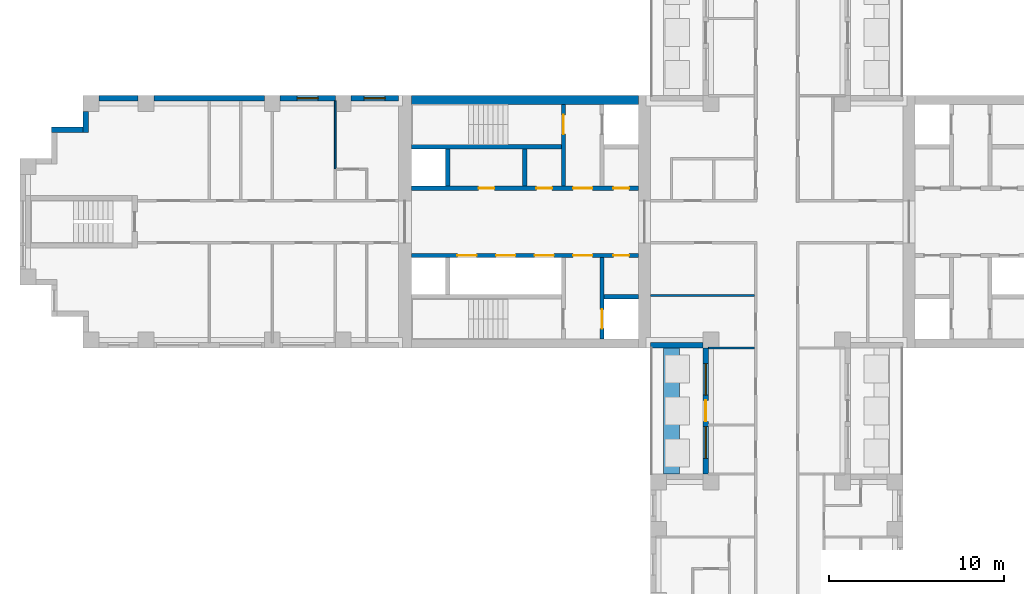
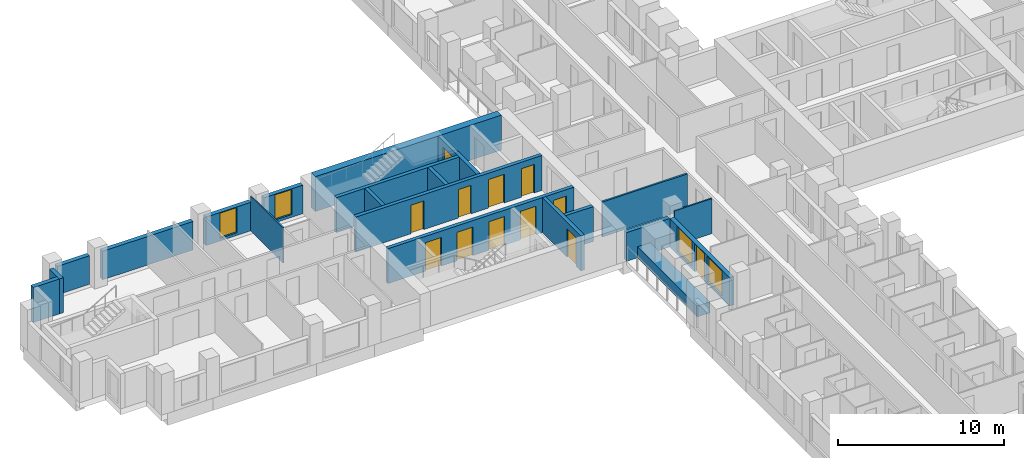
# One storey, part 7 of 16: 21 walls, 12 doors, 4 windows, 16 openings.
"""IFC4 building model written with IfcOpenShell, lengths in metres."""

from ifc_helpers import new_model, si_unit, direction, frame, frame_2d, origin, place, context, subcontext, project, spatial, rectangle, extrude, material, layer, layer_set, type_object, element, fill, save


model = new_model("IFC4")

# Units and contexts
model_context = context("Model", 3, precision=1e-05, world=origin(), true_north=direction((0.0, 1.0)))
body_context = subcontext(model_context, "Body", "Model", "MODEL_VIEW")
ifc_project = project(units=[si_unit("LENGTHUNIT", "METRE"), si_unit("AREAUNIT", "SQUARE_METRE"), si_unit("VOLUMEUNIT", "CUBIC_METRE"), si_unit("PLANEANGLEUNIT", "RADIAN"), si_unit("MASSUNIT", "GRAM", prefix="KILO")], contexts=[model_context])

# Site, building, storey
site_placement = place(None, origin())
site = spatial("IfcSite", under=ifc_project, at=site_placement, CompositionType="ELEMENT")
building_placement = place(site_placement, origin())
building = spatial("IfcBuilding", under=site, at=building_placement, Name="Fustian Cross Tower", CompositionType="ELEMENT")
storey_placement = place(building_placement, frame((0.0, 0.0, 26.699951171875)))
storey = spatial("IfcBuildingStorey", under=building, at=storey_placement, Name="L07", CompositionType="ELEMENT", Elevation=26.699951171875)

# Wall
ifc_material_1 = material(Name="Concrete C80/95", Category="concrete")
ifc_layer_1 = layer(ifc_material_1, 0.5)
ifc_layer_set_1 = layer_set([ifc_layer_1], Name="Concrete C80/95")
wall_type_1 = type_object("IfcWallType", Name="CORE FACADE WALL 500 C80/95", PredefinedType="SHEAR", material=ifc_layer_set_1)
wall_1_placement = place(storey_placement, frame((-7.89990234375, 6.949951171875, 0.0), z_axis=(0.0, 0.0, 1.0), x_axis=(-1.0, 0.0, 0.0)))
element("IfcWall", 1, at=wall_1_placement, inside=storey, type_object=wall_type_1, Name="Core facade wall", PredefinedType="SHEAR", context=body_context, shape_type="SweptSolid", body=[
    extrude(rectangle(XDim=12.9501953125, YDim=0.5, at=frame_2d((6.47509765625, 0.0))), origin(), (0.0, 0.0, 1.0), 2.574951171875),
])

# Wall, openings, doors
ifc_material_2 = material(Name="Concrete C50/60", Category="concrete")
ifc_layer_2 = layer(ifc_material_2, 0.25)
ifc_layer_set_2 = layer_set([ifc_layer_2], Name="Concrete C50/60")
wall_type_2 = type_object("IfcWallType", Name="CORE LOBBY WALL 250 C50/60", PredefinedType="SHEAR", material=ifc_layer_set_2)
wall_2_placement = place(storey_placement, frame((-7.89990234375, 1.925048828125, 0.0), z_axis=(0.0, 0.0, 1.0), x_axis=(-1.0, 0.0, 0.0)))
wall_2 = element("IfcWall", 2, at=wall_2_placement, inside=storey, type_object=wall_type_2, Name="Core lobby wall", PredefinedType="SHEAR", context=body_context, shape_type="SweptSolid", body=[
    extrude(rectangle(XDim=12.9501953125, YDim=0.25, at=frame_2d((6.47509765625, 0.0))), origin(), (0.0, 0.0, 1.0), 2.574951171875),
])
opening_1_placement = place(wall_2_placement, frame((0.52490234375, 0.0, 0.0)))
opening_1 = element("IfcOpeningElement", 3, at=opening_1_placement, cuts=wall_2, Name="Opening CD-05-23", PredefinedType="OPENING", context=body_context, shape_type="SweptSolid", body=[
    extrude(rectangle(XDim=0.89990234375, YDim=2.10009765625, at=frame_2d((0.449951171875, 1.050048828125))), frame((0.0, 0.135009765625, 0.0), z_axis=(0.0, -1.0, 0.0), x_axis=(1.0, 0.0, 0.0)), (0.0, 0.0, 1.0), 0.27001953125),
])
opening_2_placement = place(wall_2_placement, frame((2.625, 0.0, 0.0)))
opening_2 = element("IfcOpeningElement", 4, at=opening_2_placement, cuts=wall_2, Name="Opening CD-05-25", PredefinedType="OPENING", context=body_context, shape_type="SweptSolid", body=[
    extrude(rectangle(XDim=1.10009765625, YDim=2.10009765625, at=frame_2d((0.550048828125, 1.050048828125))), frame((0.0, 0.135009765625, 0.0), z_axis=(0.0, -1.0, 0.0), x_axis=(1.0, 0.0, 0.0)), (0.0, 0.0, 1.0), 0.27001953125),
])
opening_3_placement = place(wall_2_placement, frame((4.925048828125, 0.0, 0.0)))
opening_3 = element("IfcOpeningElement", 5, at=opening_3_placement, cuts=wall_2, Name="Opening CD-05-29", PredefinedType="OPENING", context=body_context, shape_type="SweptSolid", body=[
    extrude(rectangle(XDim=0.89990234375, YDim=2.10009765625, at=frame_2d((0.449951171875, 1.050048828125))), frame((0.0, 0.135009765625, 0.0), z_axis=(0.0, -1.0, 0.0), x_axis=(1.0, 0.0, 0.0)), (0.0, 0.0, 1.0), 0.27001953125),
])
opening_4_placement = place(wall_2_placement, frame((8.22509765625, 0.0, 0.0)))
opening_4 = element("IfcOpeningElement", 6, at=opening_4_placement, cuts=wall_2, Name="Opening CD-05-30", PredefinedType="OPENING", context=body_context, shape_type="SweptSolid", body=[
    extrude(rectangle(XDim=0.89990234375, YDim=2.10009765625, at=frame_2d((0.449951171875, 1.050048828125))), frame((0.0, 0.135009765625, 0.0), z_axis=(0.0, -1.0, 0.0), x_axis=(1.0, 0.0, 0.0)), (0.0, 0.0, 1.0), 0.27001953125),
])
ifc_material_3 = material(Name="Steel", Category="steel")
door_type_1 = type_object("IfcDoorType", Name="FIRE DOOR FD30S 900X2100", OperationType="SINGLE_SWING_LEFT", PredefinedType="DOOR", material=ifc_material_3)
door_1_placement = place(opening_3_placement, frame((0.89990234375, 0.0, 0.0), z_axis=(0.0, 0.0, 1.0), x_axis=(-1.0, 0.0, 0.0)))
door_1 = element("IfcDoor", 7, at=door_1_placement, inside=storey, type_object=door_type_1, Name="Core door CD-05-29", OperationType="SINGLE_SWING_RIGHT", OverallHeight=2.10009765625, OverallWidth=0.89990234375, PredefinedType="DOOR", context=body_context, shape_type="SweptSolid", body=[
    extrude(rectangle(XDim=0.89990234375, YDim=2.10009765625, at=frame_2d((0.449951171875, 1.050048828125))), frame((0.0, 0.02490234375, 0.0), z_axis=(0.0, -1.0, 0.0), x_axis=(1.0, 0.0, 0.0)), (0.0, 0.0, 1.0), 0.050048828125),
])
fill(opening_3, door_1)
door_2_placement = place(opening_4_placement, frame((0.89990234375, 0.0, 0.0), z_axis=(0.0, 0.0, 1.0), x_axis=(-1.0, 0.0, 0.0)))
door_2 = element("IfcDoor", 8, at=door_2_placement, inside=storey, type_object=door_type_1, Name="Core door CD-05-30", OperationType="SINGLE_SWING_LEFT", OverallHeight=2.10009765625, OverallWidth=0.89990234375, PredefinedType="DOOR", context=body_context, shape_type="SweptSolid", body=[
    extrude(rectangle(XDim=0.89990234375, YDim=2.10009765625, at=frame_2d((0.449951171875, 1.050048828125))), frame((0.0, 0.02490234375, 0.0), z_axis=(0.0, -1.0, 0.0), x_axis=(1.0, 0.0, 0.0)), (0.0, 0.0, 1.0), 0.050048828125),
])
fill(opening_4, door_2)
ifc_material_4 = material(Name="Steel", Category="steel")
door_type_2 = type_object("IfcDoorType", Name="FIRE DOOR FD60S 1100X2100", OperationType="SINGLE_SWING_LEFT", PredefinedType="DOOR", material=ifc_material_4)
door_3_placement = place(opening_2_placement, frame((1.10009765625, 0.0, 0.0), z_axis=(0.0, 0.0, 1.0), x_axis=(-1.0, 0.0, 0.0)))
door_3 = element("IfcDoor", 9, at=door_3_placement, inside=storey, type_object=door_type_2, Name="Core door CD-05-25", OperationType="SINGLE_SWING_RIGHT", OverallHeight=2.10009765625, OverallWidth=1.10009765625, PredefinedType="DOOR", context=body_context, shape_type="SweptSolid", body=[
    extrude(rectangle(XDim=1.10009765625, YDim=2.10009765625, at=frame_2d((0.550048828125, 1.050048828125))), frame((0.0, 0.02490234375, 0.0), z_axis=(0.0, -1.0, 0.0), x_axis=(1.0, 0.0, 0.0)), (0.0, 0.0, 1.0), 0.050048828125),
])
fill(opening_2, door_3)
ifc_material_5 = material(Name="Steel", Category="steel")
door_type_3 = type_object("IfcDoorType", Name="FIRE DOOR FD60S 900X2100", OperationType="SINGLE_SWING_LEFT", PredefinedType="DOOR", material=ifc_material_5)
door_4_placement = place(opening_1_placement, frame((0.89990234375, 0.0, 0.0), z_axis=(0.0, 0.0, 1.0), x_axis=(-1.0, 0.0, 0.0)))
door_4 = element("IfcDoor", 10, at=door_4_placement, inside=storey, type_object=door_type_3, Name="Core door CD-05-23", OperationType="SINGLE_SWING_RIGHT", OverallHeight=2.10009765625, OverallWidth=0.89990234375, PredefinedType="DOOR", context=body_context, shape_type="SweptSolid", body=[
    extrude(rectangle(XDim=0.89990234375, YDim=2.10009765625, at=frame_2d((0.449951171875, 1.050048828125))), frame((0.0, 0.02490234375, 0.0), z_axis=(0.0, -1.0, 0.0), x_axis=(1.0, 0.0, 0.0)), (0.0, 0.0, 1.0), 0.050048828125),
])
fill(opening_1, door_4)

wall_3_placement = place(storey_placement, frame((-7.89990234375, -1.925048828125, 0.0), z_axis=(0.0, 0.0, 1.0), x_axis=(-1.0, 0.0, 0.0)))
wall_3 = element("IfcWall", 11, at=wall_3_placement, inside=storey, type_object=wall_type_2, Name="Core lobby wall", PredefinedType="SHEAR", context=body_context, shape_type="SweptSolid", body=[
    extrude(rectangle(XDim=12.9501953125, YDim=0.25, at=frame_2d((6.47509765625, 0.0))), origin(), (0.0, 0.0, 1.0), 2.574951171875),
])
opening_5_placement = place(wall_3_placement, frame((4.824951171875, 0.0, 0.0)))
opening_5 = element("IfcOpeningElement", 12, at=opening_5_placement, cuts=wall_3, Name="Opening LD", PredefinedType="OPENING", context=body_context, shape_type="SweptSolid", body=[
    extrude(rectangle(XDim=1.10009765625, YDim=2.10009765625, at=frame_2d((0.550048828125, 1.050048828125))), frame((0.0, 0.135009765625, 0.0), z_axis=(0.0, -1.0, 0.0), x_axis=(1.0, 0.0, 0.0)), (0.0, 0.0, 1.0), 0.27001953125),
])
opening_6_placement = place(wall_3_placement, frame((7.02490234375, 0.0, 0.0)))
opening_6 = element("IfcOpeningElement", 13, at=opening_6_placement, cuts=wall_3, Name="Opening LD", PredefinedType="OPENING", context=body_context, shape_type="SweptSolid", body=[
    extrude(rectangle(XDim=1.10009765625, YDim=2.10009765625, at=frame_2d((0.550048828125, 1.050048828125))), frame((0.0, 0.135009765625, 0.0), z_axis=(0.0, -1.0, 0.0), x_axis=(1.0, 0.0, 0.0)), (0.0, 0.0, 1.0), 0.27001953125),
])
opening_7_placement = place(wall_3_placement, frame((9.22509765625, 0.0, 0.0)))
opening_7 = element("IfcOpeningElement", 14, at=opening_7_placement, cuts=wall_3, Name="Opening LD", PredefinedType="OPENING", context=body_context, shape_type="SweptSolid", body=[
    extrude(rectangle(XDim=1.10009765625, YDim=2.10009765625, at=frame_2d((0.550048828125, 1.050048828125))), frame((0.0, 0.135009765625, 0.0), z_axis=(0.0, -1.0, 0.0), x_axis=(1.0, 0.0, 0.0)), (0.0, 0.0, 1.0), 0.27001953125),
])
opening_8_placement = place(wall_3_placement, frame((0.52490234375, 0.0, 0.0)))
opening_8 = element("IfcOpeningElement", 15, at=opening_8_placement, cuts=wall_3, Name="Opening CD-05-24", PredefinedType="OPENING", context=body_context, shape_type="SweptSolid", body=[
    extrude(rectangle(XDim=0.89990234375, YDim=2.10009765625, at=frame_2d((0.449951171875, 1.050048828125))), frame((0.0, 0.135009765625, 0.0), z_axis=(0.0, -1.0, 0.0), x_axis=(1.0, 0.0, 0.0)), (0.0, 0.0, 1.0), 0.27001953125),
])
opening_9_placement = place(wall_3_placement, frame((2.625, 0.0, 0.0)))
opening_9 = element("IfcOpeningElement", 16, at=opening_9_placement, cuts=wall_3, Name="Opening CD-05-26", PredefinedType="OPENING", context=body_context, shape_type="SweptSolid", body=[
    extrude(rectangle(XDim=1.10009765625, YDim=2.10009765625, at=frame_2d((0.550048828125, 1.050048828125))), frame((0.0, 0.135009765625, 0.0), z_axis=(0.0, -1.0, 0.0), x_axis=(1.0, 0.0, 0.0)), (0.0, 0.0, 1.0), 0.27001953125),
])
ifc_material_6 = material(Name="Steel", Category="steel")
door_type_4 = type_object("IfcDoorType", Name="FIRE DOOR FD30S 1100X2100", OperationType="SINGLE_SWING_LEFT", PredefinedType="DOOR", material=ifc_material_6)
door_5_placement = place(opening_9_placement, frame((1.10009765625, 0.0, 0.0), z_axis=(0.0, 0.0, 1.0), x_axis=(-1.0, 0.0, 0.0)))
door_5 = element("IfcDoor", 17, at=door_5_placement, inside=storey, type_object=door_type_4, Name="Core door CD-05-26", OperationType="SINGLE_SWING_RIGHT", OverallHeight=2.10009765625, OverallWidth=1.10009765625, PredefinedType="DOOR", context=body_context, shape_type="SweptSolid", body=[
    extrude(rectangle(XDim=1.10009765625, YDim=2.10009765625, at=frame_2d((0.550048828125, 1.050048828125))), frame((0.0, 0.02490234375, 0.0), z_axis=(0.0, -1.0, 0.0), x_axis=(1.0, 0.0, 0.0)), (0.0, 0.0, 1.0), 0.050048828125),
])
fill(opening_9, door_5)
door_6_placement = place(opening_8_placement, origin())
door_6 = element("IfcDoor", 18, at=door_6_placement, inside=storey, type_object=door_type_1, Name="Core door CD-05-24", OperationType="SINGLE_SWING_LEFT", OverallHeight=2.10009765625, OverallWidth=0.89990234375, PredefinedType="DOOR", context=body_context, shape_type="SweptSolid", body=[
    extrude(rectangle(XDim=0.89990234375, YDim=2.10009765625, at=frame_2d((0.449951171875, 1.050048828125))), frame((0.0, 0.02490234375, 0.0), z_axis=(0.0, -1.0, 0.0), x_axis=(1.0, 0.0, 0.0)), (0.0, 0.0, 1.0), 0.050048828125),
])
fill(opening_8, door_6)
ifc_material_7 = material(Name="Stainless steel", Category="steel")
door_type_5 = type_object("IfcDoorType", Name="LIFT LANDING DOOR 1100X2100", OperationType="SLIDING_TO_LEFT", PredefinedType="DOOR", material=ifc_material_7)
door_7_placement = place(opening_5_placement, origin())
door_7 = element("IfcDoor", 19, at=door_7_placement, inside=storey, type_object=door_type_5, Name="Landing door LR1W", OperationType="SLIDING_TO_LEFT", OverallHeight=2.10009765625, OverallWidth=1.10009765625, PredefinedType="DOOR", context=body_context, shape_type="SweptSolid", body=[
    extrude(rectangle(XDim=1.10009765625, YDim=2.10009765625, at=frame_2d((0.550048828125, 1.050048828125))), frame((0.0, 0.02490234375, 0.0), z_axis=(0.0, -1.0, 0.0), x_axis=(1.0, 0.0, 0.0)), (0.0, 0.0, 1.0), 0.050048828125),
])
fill(opening_5, door_7)
door_8_placement = place(opening_6_placement, origin())
door_8 = element("IfcDoor", 20, at=door_8_placement, inside=storey, type_object=door_type_5, Name="Landing door LR2W", OperationType="SLIDING_TO_LEFT", OverallHeight=2.10009765625, OverallWidth=1.10009765625, PredefinedType="DOOR", context=body_context, shape_type="SweptSolid", body=[
    extrude(rectangle(XDim=1.10009765625, YDim=2.10009765625, at=frame_2d((0.550048828125, 1.050048828125))), frame((0.0, 0.02490234375, 0.0), z_axis=(0.0, -1.0, 0.0), x_axis=(1.0, 0.0, 0.0)), (0.0, 0.0, 1.0), 0.050048828125),
])
fill(opening_6, door_8)
door_9_placement = place(opening_7_placement, origin())
door_9 = element("IfcDoor", 21, at=door_9_placement, inside=storey, type_object=door_type_5, Name="Landing door LR3W", OperationType="SLIDING_TO_LEFT", OverallHeight=2.10009765625, OverallWidth=1.10009765625, PredefinedType="DOOR", context=body_context, shape_type="SweptSolid", body=[
    extrude(rectangle(XDim=1.10009765625, YDim=2.10009765625, at=frame_2d((0.550048828125, 1.050048828125))), frame((0.0, 0.02490234375, 0.0), z_axis=(0.0, -1.0, 0.0), x_axis=(1.0, 0.0, 0.0)), (0.0, 0.0, 1.0), 0.050048828125),
])
fill(opening_7, door_9)

# Wall
ifc_material_8 = material(Name="Concrete C50/60", Category="concrete")
ifc_layer_3 = layer(ifc_material_8, 0.25)
ifc_layer_set_3 = layer_set([ifc_layer_3], Name="Concrete C50/60")
wall_type_3 = type_object("IfcWallType", Name="CORE SHAFT WALL 250 C50/60", PredefinedType="SHEAR", material=ifc_layer_set_3)
wall_4_placement = place(storey_placement, frame((-12.300048828125, 4.27490234375, 0.0), z_axis=(0.0, 0.0, 1.0), x_axis=(-1.0, 0.0, 0.0)))
element("IfcWall", 22, at=wall_4_placement, inside=storey, type_object=wall_type_3, Name="Core shaft wall", PredefinedType="SHEAR", context=body_context, shape_type="SweptSolid", body=[
    extrude(rectangle(XDim=8.550048828125, YDim=0.25, at=frame_2d((4.27490234375, 0.0))), origin(), (0.0, 0.0, 1.0), 2.574951171875),
])

# Wall, opening, door
wall_5_placement = place(storey_placement, frame((-12.175048828125, 2.050048828125, 0.0), z_axis=(0.0, 0.0, 1.0), x_axis=(0.0, 1.0, 0.0)))
wall_5 = element("IfcWall", 23, at=wall_5_placement, inside=storey, type_object=wall_type_3, Name="Core shaft wall", PredefinedType="SHEAR", context=body_context, shape_type="SweptSolid", body=[
    extrude(rectangle(XDim=4.64990234375, YDim=0.25, at=frame_2d((2.324951171875, 0.0))), origin(), (0.0, 0.0, 1.0), 2.574951171875),
])
opening_10_placement = place(wall_5_placement, frame((2.949951171875, 0.0, 0.0)))
opening_10 = element("IfcOpeningElement", 24, at=opening_10_placement, cuts=wall_5, Name="Opening CD-05-21", PredefinedType="OPENING", context=body_context, shape_type="SweptSolid", body=[
    extrude(rectangle(XDim=1.10009765625, YDim=2.10009765625, at=frame_2d((0.550048828125, 1.050048828125))), frame((0.0, 0.135009765625, 0.0), z_axis=(0.0, -1.0, 0.0), x_axis=(1.0, 0.0, 0.0)), (0.0, 0.0, 1.0), 0.27001953125),
])
door_10_placement = place(opening_10_placement, origin())
door_10 = element("IfcDoor", 25, at=door_10_placement, inside=storey, type_object=door_type_2, Name="Core door CD-05-21", OperationType="SINGLE_SWING_LEFT", OverallHeight=2.10009765625, OverallWidth=1.10009765625, PredefinedType="DOOR", context=body_context, shape_type="SweptSolid", body=[
    extrude(rectangle(XDim=1.10009765625, YDim=2.10009765625, at=frame_2d((0.550048828125, 1.050048828125))), frame((0.0, 0.02490234375, 0.0), z_axis=(0.0, -1.0, 0.0), x_axis=(1.0, 0.0, 0.0)), (0.0, 0.0, 1.0), 0.050048828125),
])
fill(opening_10, door_10)

# Wall
wall_6_placement = place(storey_placement, frame((-7.89990234375, -4.27490234375, 0.0), z_axis=(0.0, 0.0, 1.0), x_axis=(-1.0, 0.0, 0.0)))
element("IfcWall", 26, at=wall_6_placement, inside=storey, type_object=wall_type_3, Name="Core shaft wall", PredefinedType="SHEAR", context=body_context, shape_type="SweptSolid", body=[
    extrude(rectangle(XDim=1.9501953125, YDim=0.25, at=frame_2d((0.97509765625, 0.0))), origin(), (0.0, 0.0, 1.0), 2.574951171875),
])

# Wall, opening, door
wall_7_placement = place(storey_placement, frame((-9.97509765625, -2.050048828125, 0.0), z_axis=(0.0, 0.0, 1.0), x_axis=(0.0, -1.0, 0.0)))
wall_7 = element("IfcWall", 27, at=wall_7_placement, inside=storey, type_object=wall_type_3, Name="Core shaft wall", PredefinedType="SHEAR", context=body_context, shape_type="SweptSolid", body=[
    extrude(rectangle(XDim=4.64990234375, YDim=0.25, at=frame_2d((2.324951171875, 0.0))), origin(), (0.0, 0.0, 1.0), 2.574951171875),
])
opening_11_placement = place(wall_7_placement, frame((2.949951171875, 0.0, 0.0)))
opening_11 = element("IfcOpeningElement", 28, at=opening_11_placement, cuts=wall_7, Name="Opening LD", PredefinedType="OPENING", context=body_context, shape_type="SweptSolid", body=[
    extrude(rectangle(XDim=1.10009765625, YDim=2.10009765625, at=frame_2d((0.550048828125, 1.050048828125))), frame((0.0, 0.135009765625, 0.0), z_axis=(0.0, -1.0, 0.0), x_axis=(1.0, 0.0, 0.0)), (0.0, 0.0, 1.0), 0.27001953125),
])
door_11_placement = place(opening_11_placement, origin())
door_11 = element("IfcDoor", 29, at=door_11_placement, inside=storey, type_object=door_type_5, Name="Landing door SV1W", OperationType="SLIDING_TO_LEFT", OverallHeight=2.10009765625, OverallWidth=1.10009765625, PredefinedType="DOOR", context=body_context, shape_type="SweptSolid", body=[
    extrude(rectangle(XDim=1.10009765625, YDim=2.10009765625, at=frame_2d((0.550048828125, 1.050048828125))), frame((0.0, 0.02490234375, 0.0), z_axis=(0.0, -1.0, 0.0), x_axis=(1.0, 0.0, 0.0)), (0.0, 0.0, 1.0), 0.050048828125),
])
fill(opening_11, door_11)

# Walls
ifc_material_9 = material(Name="Plasterboard on steel stud", Category="steel")
ifc_layer_4 = layer(ifc_material_9, 0.10009765625)
ifc_layer_set_4 = layer_set([ifc_layer_4], Name="Plasterboard on steel stud")
wall_type_4 = type_object("IfcWallType", Name="PARTITION 100 STUD", PredefinedType="PARTITIONING", material=ifc_layer_set_4)
wall_8_placement = place(storey_placement, frame((-25.199951171875, 3.0, 0.0), z_axis=(0.0, 0.0, 1.0), x_axis=(0.0, 1.0, 0.0)))
element("IfcWall", 30, at=wall_8_placement, inside=storey, type_object=wall_type_4, Name="Partition 10", PredefinedType="PARTITIONING", context=body_context, shape_type="SweptSolid", body=[
    extrude(rectangle(XDim=3.89990234375, YDim=0.10009765625, at=frame_2d((1.949951171875, 0.0))), origin(), (0.0, 0.0, 1.0), 2.574951171875),
])
wall_9_placement = place(storey_placement, frame((-3.89990234375, -7.199951171875, 0.0), z_axis=(0.0, 0.0, 1.0), x_axis=(1.0, 0.0, 0.0)))
element("IfcWall", 31, at=wall_9_placement, inside=storey, type_object=wall_type_4, Name="Partition 44", PredefinedType="PARTITIONING", context=body_context, shape_type="SweptSolid", body=[
    extrude(rectangle(XDim=2.625, YDim=0.10009765625, at=frame_2d((1.3125, 0.0))), origin(), (0.0, 0.0, 1.0), 2.574951171875),
])
ifc_material_10 = material(Name="Concrete C40/50", Category="concrete")
ifc_layer_5 = layer(ifc_material_10, 0.89990234375)
ifc_layer_set_5 = layer_set([ifc_layer_5], Name="Concrete C40/50")
wall_type_5 = type_object("IfcWallType", Name="PK1 PLANTER 900", PredefinedType="PARAPET", material=ifc_layer_set_5)
wall_10_placement = place(storey_placement, frame((-6.0, -14.39990234375, 0.0), z_axis=(0.0, 0.0, 1.0), x_axis=(0.0, 1.0, 0.0)))
element("IfcWall", 32, at=wall_10_placement, inside=storey, type_object=wall_type_5, Name="PLANTER", PredefinedType="PARAPET", context=body_context, shape_type="SweptSolid", body=[
    extrude(rectangle(XDim=7.199951171875, YDim=0.89990234375, at=frame_2d((3.60009765625, 0.0))), origin(), (0.0, 0.0, 1.0), 0.800048828125),
])
ifc_material_11 = material(Name="Concrete C40/50", Category="concrete")
ifc_layer_6 = layer(ifc_material_11, 0.25)
ifc_layer_set_6 = layer_set([ifc_layer_6], Name="Concrete C40/50")
wall_type_6 = type_object("IfcWallType", Name="SHAFT PARTITION WALL 250 C40/50", PredefinedType="PARTITIONING", material=ifc_layer_set_6)
for number, where, z_axis, x_axis, name in (
    (33, (-14.375, 2.050048828125, 0.0), (0.0, 0.0, 1.0), (0.0, 1.0, 0.0), "Core shaft wall"),
    (34, (-18.77490234375, 2.050048828125, 0.0), (0.0, 0.0, 1.0), (0.0, 1.0, 0.0), "Core shaft wall"),
):
    element("IfcWall", number, at=place(storey_placement, frame(where, z_axis=z_axis, x_axis=x_axis)), inside=storey, type_object=wall_type_6, Name=name, PredefinedType="PARTITIONING", context=body_context, shape_type="SweptSolid", body=[
        extrude(rectangle(XDim=2.099853515625, YDim=0.25, at=frame_2d((1.0498046875, 0.0))), origin(), (0.0, 0.0, 1.0), 2.574951171875),
    ])
ifc_material_12 = material(Name="Plasterboard on steel stud", Category="steel")
ifc_layer_7 = layer(ifc_material_12, 0.125)
ifc_layer_set_7 = layer_set([ifc_layer_7], Name="Plasterboard on steel stud")
wall_type_7 = type_object("IfcWallType", Name="WET WALL 125 STUD", PredefinedType="PARTITIONING", material=ifc_layer_set_7)
wall_11_placement = place(storey_placement, frame((-7.199951171875, -4.199951171875, 0.0), z_axis=(0.0, 0.0, 1.0), x_axis=(1.0, 0.0, 0.0)))
element("IfcWall", 35, at=wall_11_placement, inside=storey, type_object=wall_type_7, Name="Partition 14", PredefinedType="PARTITIONING", context=body_context, shape_type="SweptSolid", body=[
    extrude(rectangle(XDim=5.925048828125, YDim=0.125, at=frame_2d((2.96240234375, 0.0))), origin(), (0.0, 0.0, 1.0), 2.574951171875),
])

# Wall, opening, window
ifc_material_13 = material(Name="Dark aluminium cladding on insulated backing wall", Category="aluminium")
ifc_layer_8 = layer(ifc_material_13, 0.300048828125)
ifc_layer_set_8 = layer_set([ifc_layer_8], Name="Dark aluminium cladding on insulated backing wall")
wall_type_8 = type_object("IfcWallType", Name="XW1 EXTERNAL WALL 300", PredefinedType="SOLIDWALL", material=ifc_layer_set_8)
wall_12_placement = place(storey_placement, frame((-21.60009765625, 7.050048828125, 0.0), z_axis=(0.0, 0.0, 1.0), x_axis=(-1.0, 0.0, 0.0)))
wall_12 = element("IfcWall", 36, at=wall_12_placement, inside=storey, type_object=wall_type_8, Name="External wall", PredefinedType="SOLIDWALL", context=body_context, shape_type="SweptSolid", body=[
    extrude(rectangle(XDim=2.699951171875, YDim=0.300048828125, at=frame_2d((1.35009765625, 0.0))), origin(), (0.0, 0.0, 1.0), 2.10009765625),
])
opening_12_placement = place(wall_12_placement, frame((0.75, 0.0, 0.199951171875)))
opening_12 = element("IfcOpeningElement", 37, at=opening_12_placement, cuts=wall_12, Name="Opening WN3", PredefinedType="OPENING", context=body_context, shape_type="SweptSolid", body=[
    extrude(rectangle(XDim=1.199951171875, YDim=1.85009765625, at=frame_2d((0.60009765625, 0.925048828125))), frame((0.0, 0.159912109375, 0.0), z_axis=(0.0, -1.0, 0.0), x_axis=(1.0, 0.0, 0.0)), (0.0, 0.0, 1.0), 0.320068359375),
])
ifc_material_14 = material(Name="Dark anodised aluminium and double glazing", Category="aluminium")
window_type_1 = type_object("IfcWindowType", Name="WN3 WINDOW 1200X1850", PartitioningType="SINGLE_PANEL", PredefinedType="WINDOW", material=ifc_material_14)
window_1_placement = place(opening_12_placement, origin())
window_1 = element("IfcWindow", 38, at=window_1_placement, inside=storey, type_object=window_type_1, Name="Window", OverallHeight=1.85009765625, OverallWidth=1.199951171875, PartitioningType="SINGLE_PANEL", PredefinedType="WINDOW", context=body_context, shape_type="SweptSolid", body=[
    extrude(rectangle(XDim=1.199951171875, YDim=1.85009765625, at=frame_2d((0.60009765625, 0.925048828125))), frame((0.0, 0.030029296875, 0.0), z_axis=(0.0, -1.0, 0.0), x_axis=(1.0, 0.0, 0.0)), (0.0, 0.0, 1.0), 0.06005859375),
])
fill(opening_12, window_1)

wall_13_placement = place(storey_placement, frame((-25.199951171875, 7.050048828125, 0.0), z_axis=(0.0, 0.0, 1.0), x_axis=(-1.0, 0.0, 0.0)))
wall_13 = element("IfcWall", 39, at=wall_13_placement, inside=storey, type_object=wall_type_8, Name="External wall", PredefinedType="SOLIDWALL", context=body_context, shape_type="SweptSolid", body=[
    extrude(rectangle(XDim=3.150146484375, YDim=0.300048828125, at=frame_2d((1.5751953125, 0.0))), origin(), (0.0, 0.0, 1.0), 2.10009765625),
])
opening_13_placement = place(wall_13_placement, frame((0.97509765625, 0.0, 0.199951171875)))
opening_13 = element("IfcOpeningElement", 40, at=opening_13_placement, cuts=wall_13, Name="Opening WN3", PredefinedType="OPENING", context=body_context, shape_type="SweptSolid", body=[
    extrude(rectangle(XDim=1.199951171875, YDim=1.85009765625, at=frame_2d((0.60009765625, 0.925048828125))), frame((0.0, 0.159912109375, 0.0), z_axis=(0.0, -1.0, 0.0), x_axis=(1.0, 0.0, 0.0)), (0.0, 0.0, 1.0), 0.320068359375),
])
window_2_placement = place(opening_13_placement, origin())
window_2 = element("IfcWindow", 41, at=window_2_placement, inside=storey, type_object=window_type_1, Name="Window", OverallHeight=1.85009765625, OverallWidth=1.199951171875, PartitioningType="SINGLE_PANEL", PredefinedType="WINDOW", context=body_context, shape_type="SweptSolid", body=[
    extrude(rectangle(XDim=1.199951171875, YDim=1.85009765625, at=frame_2d((0.60009765625, 0.925048828125))), frame((0.0, 0.030029296875, 0.0), z_axis=(0.0, -1.0, 0.0), x_axis=(1.0, 0.0, 0.0)), (0.0, 0.0, 1.0), 0.06005859375),
])
fill(opening_13, window_2)

# Walls
wall_14_placement = place(storey_placement, frame((-29.25, 7.050048828125, 0.0), z_axis=(0.0, 0.0, 1.0), x_axis=(-1.0, 0.0, 0.0)))
element("IfcWall", 42, at=wall_14_placement, inside=storey, type_object=wall_type_8, Name="External wall", PredefinedType="SOLIDWALL", context=body_context, shape_type="SweptSolid", body=[
    extrude(rectangle(XDim=6.300048828125, YDim=0.300048828125, at=frame_2d((3.14990234375, 0.0))), origin(), (0.0, 0.0, 1.0), 2.10009765625),
])
wall_15_placement = place(storey_placement, frame((-36.449951171875, 7.050048828125, 0.0), z_axis=(0.0, 0.0, 1.0), x_axis=(-1.0, 0.0, 0.0)))
element("IfcWall", 43, at=wall_15_placement, inside=storey, type_object=wall_type_8, Name="External wall", PredefinedType="SOLIDWALL", context=body_context, shape_type="SweptSolid", body=[
    extrude(rectangle(XDim=2.25, YDim=0.300048828125, at=frame_2d((1.125, 0.0))), origin(), (0.0, 0.0, 1.0), 2.10009765625),
])
wall_16_placement = place(storey_placement, frame((-39.449951171875, 6.300048828125, 0.0), z_axis=(0.0, 0.0, 1.0), x_axis=(0.0, -1.0, 0.0)))
element("IfcWall", 44, at=wall_16_placement, inside=storey, type_object=wall_type_8, Name="External wall", PredefinedType="SOLIDWALL", context=body_context, shape_type="SweptSolid", body=[
    extrude(rectangle(XDim=1.199951171875, YDim=0.300048828125, at=frame_2d((0.60009765625, 0.0))), origin(), (0.0, 0.0, 1.0), 2.574951171875),
])
wall_17_placement = place(storey_placement, frame((-39.60009765625, 5.25, 0.0), z_axis=(0.0, 0.0, 1.0), x_axis=(-1.0, 0.0, 0.0)))
element("IfcWall", 45, at=wall_17_placement, inside=storey, type_object=wall_type_8, Name="External wall", PredefinedType="SOLIDWALL", context=body_context, shape_type="SweptSolid", body=[
    extrude(rectangle(XDim=1.7998046875, YDim=0.300048828125, at=frame_2d((0.89990234375, 0.0))), origin(), (0.0, 0.0, 1.0), 2.574951171875),
])
wall_18_placement = place(storey_placement, frame((-7.199951171875, -7.050048828125, 0.0), z_axis=(0.0, 0.0, 1.0), x_axis=(1.0, 0.0, 0.0)))
element("IfcWall", 46, at=wall_18_placement, inside=storey, type_object=wall_type_8, Name="External wall", PredefinedType="SOLIDWALL", context=body_context, shape_type="SweptSolid", body=[
    extrude(rectangle(XDim=3.0, YDim=0.300048828125, at=frame_2d((1.5, 0.0))), origin(), (0.0, 0.0, 1.0), 2.10009765625),
])

# Wall, openings, door, windows
wall_19_placement = place(storey_placement, frame((-4.050048828125, -7.199951171875, 0.0), z_axis=(0.0, 0.0, 1.0), x_axis=(0.0, -1.0, 0.0)))
wall_19 = element("IfcWall", 47, at=wall_19_placement, inside=storey, type_object=wall_type_8, Name="External wall", PredefinedType="SOLIDWALL", context=body_context, shape_type="SweptSolid", body=[
    extrude(rectangle(XDim=7.199951171875, YDim=0.300048828125, at=frame_2d((3.60009765625, 0.0))), origin(), (0.0, 0.0, 1.0), 2.10009765625),
])
opening_14_placement = place(wall_19_placement, frame((3.0, 0.0, 0.0)))
opening_14 = element("IfcOpeningElement", 48, at=opening_14_placement, cuts=wall_19, Name="Opening XD4", PredefinedType="OPENING", context=body_context, shape_type="SweptSolid", body=[
    extrude(rectangle(XDim=1.199951171875, YDim=2.050048828125, at=frame_2d((0.60009765625, 1.02490234375))), frame((0.0, 0.159912109375, 0.0), z_axis=(0.0, -1.0, 0.0), x_axis=(1.0, 0.0, 0.0)), (0.0, 0.0, 1.0), 0.320068359375),
])
opening_15_placement = place(wall_19_placement, frame((0.89990234375, 0.0, 0.199951171875)))
opening_15 = element("IfcOpeningElement", 49, at=opening_15_placement, cuts=wall_19, Name="Opening WN2", PredefinedType="OPENING", context=body_context, shape_type="SweptSolid", body=[
    extrude(rectangle(XDim=1.800048828125, YDim=1.85009765625, at=frame_2d((0.89990234375, 0.925048828125))), frame((0.0, 0.159912109375, 0.0), z_axis=(0.0, -1.0, 0.0), x_axis=(1.0, 0.0, 0.0)), (0.0, 0.0, 1.0), 0.320068359375),
])
opening_16_placement = place(wall_19_placement, frame((4.5, 0.0, 0.199951171875)))
opening_16 = element("IfcOpeningElement", 50, at=opening_16_placement, cuts=wall_19, Name="Opening WN2", PredefinedType="OPENING", context=body_context, shape_type="SweptSolid", body=[
    extrude(rectangle(XDim=1.800048828125, YDim=1.85009765625, at=frame_2d((0.89990234375, 0.925048828125))), frame((0.0, 0.159912109375, 0.0), z_axis=(0.0, -1.0, 0.0), x_axis=(1.0, 0.0, 0.0)), (0.0, 0.0, 1.0), 0.320068359375),
])
ifc_material_15 = material(Name="Dark anodised aluminium and double glazing", Category="aluminium")
door_type_6 = type_object("IfcDoorType", Name="ED1 BALCONY DOOR 1200X2050", OperationType="SINGLE_SWING_LEFT", PredefinedType="DOOR", material=ifc_material_15)
door_12_placement = place(opening_14_placement, origin())
door_12 = element("IfcDoor", 51, at=door_12_placement, inside=storey, type_object=door_type_6, Name="Balcony door", OperationType="SINGLE_SWING_LEFT", OverallHeight=2.050048828125, OverallWidth=1.199951171875, PredefinedType="DOOR", context=body_context, shape_type="SweptSolid", body=[
    extrude(rectangle(XDim=1.199951171875, YDim=2.050048828125, at=frame_2d((0.60009765625, 1.02490234375))), frame((0.0, 0.02490234375, 0.0), z_axis=(0.0, -1.0, 0.0), x_axis=(1.0, 0.0, 0.0)), (0.0, 0.0, 1.0), 0.050048828125),
])
fill(opening_14, door_12)
ifc_material_16 = material(Name="Dark anodised aluminium and double glazing", Category="aluminium")
window_type_2 = type_object("IfcWindowType", Name="WN2 WINDOW 1800X1850", PartitioningType="SINGLE_PANEL", PredefinedType="WINDOW", material=ifc_material_16)
window_3_placement = place(opening_15_placement, origin())
window_3 = element("IfcWindow", 52, at=window_3_placement, inside=storey, type_object=window_type_2, Name="Window", OverallHeight=1.85009765625, OverallWidth=1.800048828125, PartitioningType="SINGLE_PANEL", PredefinedType="WINDOW", context=body_context, shape_type="SweptSolid", body=[
    extrude(rectangle(XDim=1.800048828125, YDim=1.85009765625, at=frame_2d((0.89990234375, 0.925048828125))), frame((0.0, 0.030029296875, 0.0), z_axis=(0.0, -1.0, 0.0), x_axis=(1.0, 0.0, 0.0)), (0.0, 0.0, 1.0), 0.06005859375),
])
fill(opening_15, window_3)
window_4_placement = place(opening_16_placement, origin())
window_4 = element("IfcWindow", 53, at=window_4_placement, inside=storey, type_object=window_type_2, Name="Window", OverallHeight=1.85009765625, OverallWidth=1.800048828125, PartitioningType="SINGLE_PANEL", PredefinedType="WINDOW", context=body_context, shape_type="SweptSolid", body=[
    extrude(rectangle(XDim=1.800048828125, YDim=1.85009765625, at=frame_2d((0.89990234375, 0.925048828125))), frame((0.0, 0.030029296875, 0.0), z_axis=(0.0, -1.0, 0.0), x_axis=(1.0, 0.0, 0.0)), (0.0, 0.0, 1.0), 0.06005859375),
])
fill(opening_16, window_4)

save(model, "model.ifc")
